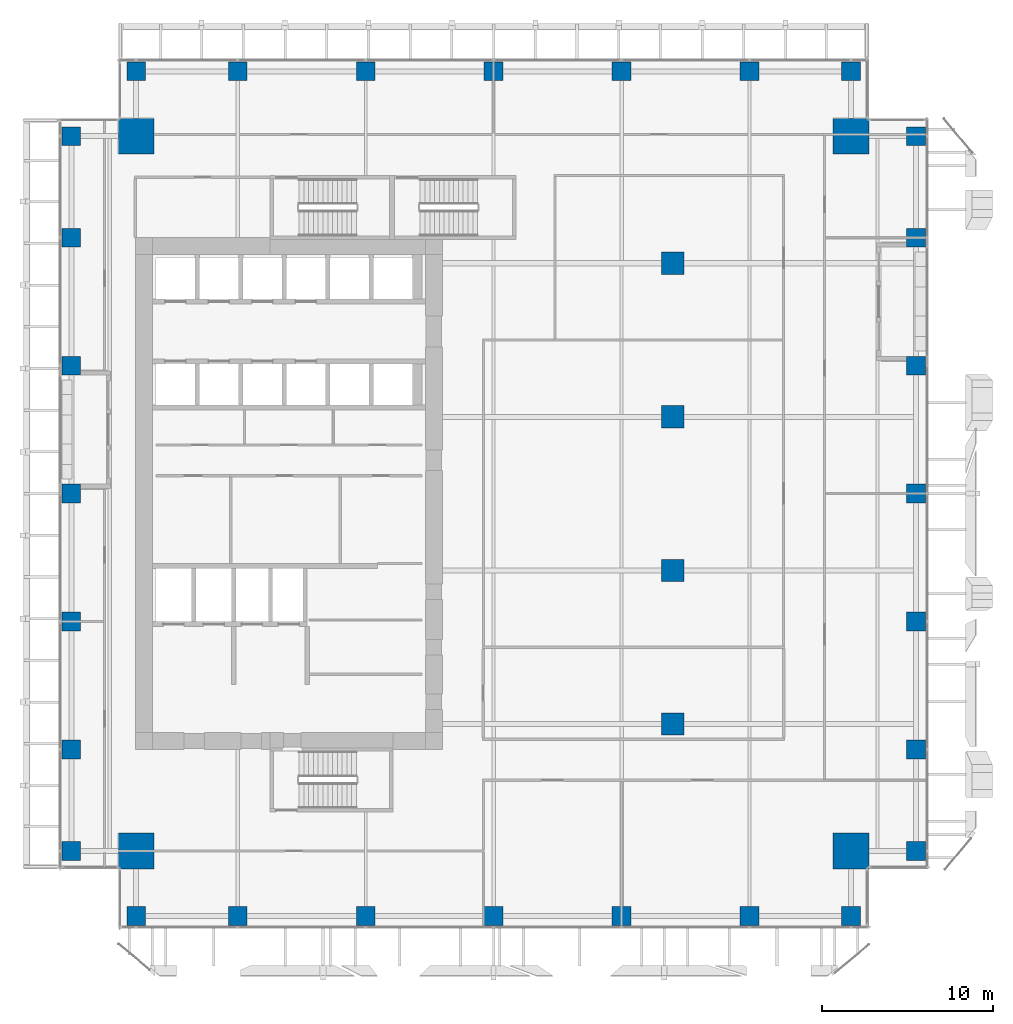
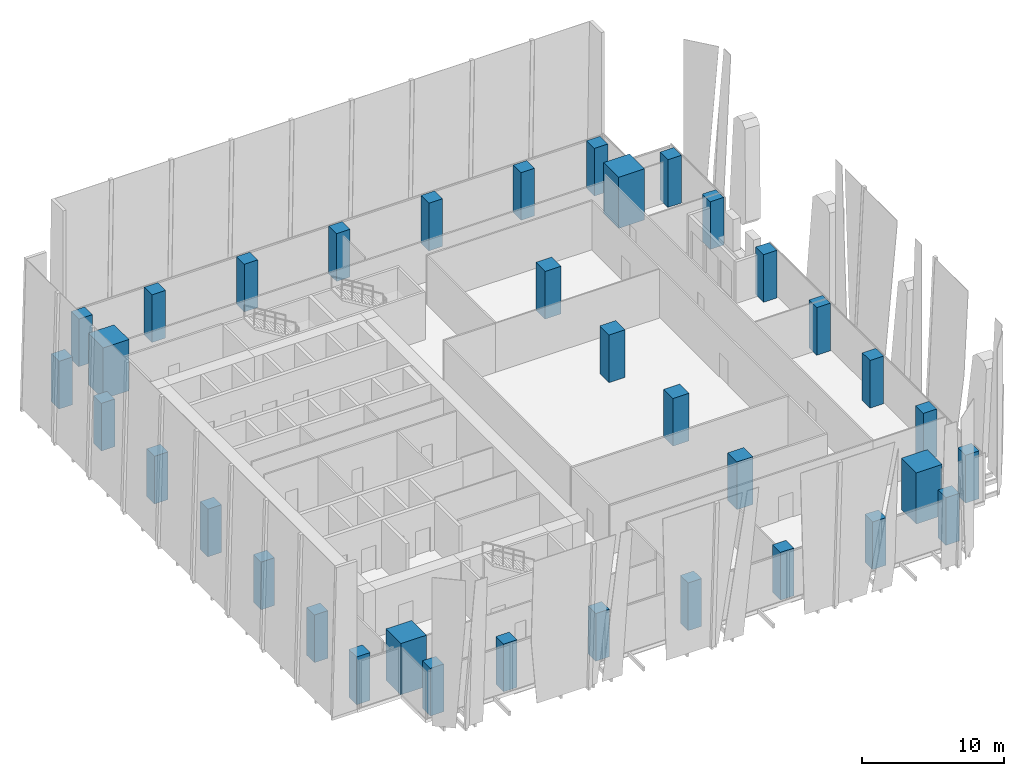
# One storey, part 1 of 35: 36 columns.
"""IFC4 building model written with IfcOpenShell, lengths in metres."""

import ifcopenshell
import ifcopenshell.guid

model = None  # the IFC model being written
_history = None  # IfcOwnerHistory: only IFC2X3 demands one
_inside = {}  # id of a spatial element -> (the spatial element, [elements in it])
_under = {}  # id of a project, library or spatial element -> (it, [spatial elements below it])
_declared = {}  # id of a project -> (the project, [libraries it declares])
_typed = {}  # id of a type object -> (the type object, [elements of that type])
_made_of = {}  # id of a material, layer set ... -> (it, [elements and type objects made of it])


def new_model(schema):
    """Start an empty IFC model of exactly this schema.

    Asked for "IFC4X3", IfcOpenShell would pick the latest addendum, in which some entities
    have other attributes; the version numbers below select the first issue.
    IFC2X3 requires an IfcOwnerHistory on every rooted entity: one is made here for all.
    """
    global model, _history
    if schema == "IFC4X3":
        model = ifcopenshell.file(schema_version=(4, 3, 0, 0))
    else:
        model = ifcopenshell.file(schema=schema)
    _inside.clear()
    _under.clear()
    _declared.clear()
    _typed.clear()
    _made_of.clear()
    _history = None
    if model.schema == "IFC2X3":
        org = make("IfcOrganization", Name="unknown")
        user = make(
            "IfcPersonAndOrganization",
            ThePerson=make("IfcPerson", FamilyName="unknown"),
            TheOrganization=org,
        )
        app = make(
            "IfcApplication",
            ApplicationDeveloper=org,
            Version="unknown",
            ApplicationFullName="unknown",
            ApplicationIdentifier="unknown",
        )
        _history = make(
            "IfcOwnerHistory",
            OwningUser=user,
            OwningApplication=app,
            ChangeAction="ADDED",
            CreationDate=0,
        )
    return model


def make(cls, **values):
    """One entity of the class cls with the attributes given. An attribute that is None is left unset."""
    return model.create_entity(
        cls, **{name: value for name, value in values.items() if value is not None}
    )


def rooted(cls, **values):
    """An entity with a GlobalId (a new one), such as an element, a storey or a relation."""
    return make(cls, GlobalId=ifcopenshell.guid.new(), OwnerHistory=_history, **values)


def si_unit(unit_type, name, prefix=None):
    """IfcSIUnit, for example si_unit("LENGTHUNIT", "METRE", prefix="MILLI")."""
    return make("IfcSIUnit", UnitType=unit_type, Prefix=prefix, Name=name)


def assignment(units):
    """IfcUnitAssignment: the units of a project."""
    return None if units is None else make("IfcUnitAssignment", Units=units)


def point(xyz):
    """IfcCartesianPoint."""
    return None if xyz is None else make("IfcCartesianPoint", Coordinates=xyz)


def direction(xyz):
    """IfcDirection."""
    return None if xyz is None else make("IfcDirection", DirectionRatios=xyz)


def frame(location, z_axis=None, x_axis=None):
    """IfcAxis2Placement3D, a coordinate frame: its origin and axes. An axis left out is left unset."""
    return make(
        "IfcAxis2Placement3D",
        Location=point(location),
        Axis=direction(z_axis),
        RefDirection=direction(x_axis),
    )


def frame_2d(location, x_axis=None):
    """IfcAxis2Placement2D, a coordinate frame in the plane: its origin and x axis."""
    return make(
        "IfcAxis2Placement2D", Location=point(location), RefDirection=direction(x_axis)
    )


def origin():
    """The frame at (0, 0, 0) with its axes left unset."""
    return frame((0.0, 0.0, 0.0))


def origin_2d():
    """The frame at (0, 0) in the plane with its x axis left unset."""
    return frame_2d((0.0, 0.0))


def place(relative_to, where):
    """IfcLocalPlacement: puts the frame where relative to a parent placement (None: the world)."""
    return make(
        "IfcLocalPlacement", PlacementRelTo=relative_to, RelativePlacement=where
    )


def context(
    kind, dimensions, precision=None, world=None, true_north=None, identifier=None
):
    """IfcGeometricRepresentationContext, for example the 3D "Model" context."""
    return make(
        "IfcGeometricRepresentationContext",
        ContextIdentifier=identifier,
        ContextType=kind,
        CoordinateSpaceDimension=dimensions,
        Precision=precision,
        WorldCoordinateSystem=world,
        TrueNorth=true_north,
    )


def subcontext(parent, identifier, kind, view, scale=None):
    """IfcGeometricRepresentationSubContext, for example "Body" below "Model"."""
    return make(
        "IfcGeometricRepresentationSubContext",
        ContextIdentifier=identifier,
        ContextType=kind,
        ParentContext=parent,
        TargetScale=scale,
        TargetView=view,
    )


def project(units=None, contexts=None):
    """IfcProject with its units and contexts."""
    return rooted(
        "IfcProject",
        Name="project",
        RepresentationContexts=contexts,
        UnitsInContext=assignment(units),
    )


def spatial(cls, under=None, at=None, **own):
    """A site, building, storey or space (cls), placed at a placement, below another one or the project."""
    s = rooted(cls, ObjectPlacement=at, **own)
    if under is not None:
        _under.setdefault(under.id(), (under, []))[1].append(s)
    return s


def profile(cls, at=None, kind="AREA", **sizes):
    """A parametric profile (cls). Its sizes go by their IFC names, for example OverallWidth=200.0."""
    return make(cls, ProfileType=kind, Position=at, **sizes)


def rectangle(**sizes):
    """IfcRectangleProfileDef."""
    return profile("IfcRectangleProfileDef", **sizes)


def extrude(swept, where, along, depth):
    """IfcExtrudedAreaSolid: the profile swept, set in the frame where, extruded along a direction by depth."""
    return make(
        "IfcExtrudedAreaSolid",
        SweptArea=swept,
        Position=where,
        ExtrudedDirection=direction(along),
        Depth=depth,
    )


def shape(context_of_items, identifier, shape_type, items):
    """IfcShapeRepresentation: the items that make up one representation, for example the "Body"."""
    return make(
        "IfcShapeRepresentation",
        ContextOfItems=context_of_items,
        RepresentationIdentifier=identifier,
        RepresentationType=shape_type,
        Items=items,
    )


def source(mapping_origin, context_of_items, identifier, shape_type, items):
    """IfcRepresentationMap: a shape defined once, which mapped items show again and again."""
    return make(
        "IfcRepresentationMap",
        MappingOrigin=mapping_origin,
        MappedRepresentation=shape(context_of_items, identifier, shape_type, items),
    )


def transform(
    local_origin,
    x_axis=None,
    y_axis=None,
    z_axis=None,
    scale=None,
    scale2=None,
    scale3=None,
    uniform=True,
):
    """IfcCartesianTransformationOperator3D, or its non-uniform kind. x_axis, y_axis, z_axis: its Axis1, 2, 3."""
    if uniform:
        return make(
            "IfcCartesianTransformationOperator3D",
            Axis1=direction(x_axis),
            Axis2=direction(y_axis),
            LocalOrigin=point(local_origin),
            Scale=scale,
            Axis3=direction(z_axis),
        )
    return make(
        "IfcCartesianTransformationOperator3DnonUniform",
        Axis1=direction(x_axis),
        Axis2=direction(y_axis),
        LocalOrigin=point(local_origin),
        Scale=scale,
        Axis3=direction(z_axis),
        Scale2=scale2,
        Scale3=scale3,
    )


def mapped(mapping_source, mapping_target):
    """IfcMappedItem: shows the shape of a source again, moved by a transform."""
    return make(
        "IfcMappedItem", MappingSource=mapping_source, MappingTarget=mapping_target
    )


def material(Name=None, Category=None):
    """IfcMaterial."""
    return make("IfcMaterial", Name=Name, Category=Category)


def material_profile(
    of_material, cross_section, Name=None, Category=None, Priority=None
):
    """IfcMaterialProfile: a cross section and its material."""
    return make(
        "IfcMaterialProfile",
        Name=Name,
        Material=of_material,
        Profile=cross_section,
        Priority=Priority,
        Category=Category,
    )


def profile_set(profiles, Name=None, composite=None):
    """IfcMaterialProfileSet."""
    return make(
        "IfcMaterialProfileSet",
        Name=Name,
        MaterialProfiles=profiles,
        CompositeProfile=composite,
    )


def made_of(thing, what):
    """Note that an element or type object is made of a material, layer set ...; save() writes the relation."""
    if what is not None:
        _made_of.setdefault(what.id(), (what, []))[1].append(thing)
    return thing


def type_object(cls, material=None, **own):
    """A type object (cls), such as IfcWallType, which elements share."""
    return made_of(rooted(cls, **own), material)


def element(
    cls,
    number,
    at=None,
    inside=None,
    cuts=None,
    type_object=None,
    material=None,
    context=None,
    identifier="Body",
    shape_type=None,
    held_by="IfcProductDefinitionShape",
    body=None,
    shapes=None,
    **own,
):
    """One element of the class cls, such as IfcWall. Its Tag is "e" and its number.

    at: its placement. inside: the storey or other place that contains it. cuts: it is an
    opening in that element (IfcRelVoidsElement). A single representation is given by context,
    identifier, shape_type and body (its items); several are given by shapes. held_by: the class
    of the entity that holds the representations. save() writes the other relations.
    """
    e = rooted(cls, Tag="e%d" % number, ObjectPlacement=at, **own)
    if body is not None:
        shapes = [shape(context, identifier, shape_type, body)]
    if shapes is not None:
        e.Representation = make(held_by, Representations=shapes)
    if inside is not None:
        _inside.setdefault(inside.id(), (inside, []))[1].append(e)
    if cuts is not None:
        rooted(
            "IfcRelVoidsElement", RelatingBuildingElement=cuts, RelatedOpeningElement=e
        )
    if type_object is not None:
        _typed.setdefault(type_object.id(), (type_object, []))[1].append(e)
    return made_of(e, material)


def aggregate(whole, parts):
    """IfcRelAggregates: a whole, such as a stair, and the parts it consists of."""
    return rooted("IfcRelAggregates", RelatingObject=whole, RelatedObjects=parts)


def save(model, path):
    """Write the relations noted so far, then the file.

    IfcRelAggregates (storeys below a building ...), IfcRelContainedInSpatialStructure (elements
    in a storey), IfcRelDefinesByType, IfcRelAssociatesMaterial and IfcRelDeclares: one each for
    every whole, place, type object, material and project.
    """
    for whole, parts in _under.values():
        aggregate(whole, parts)
    for where, things in _inside.values():
        rooted(
            "IfcRelContainedInSpatialStructure",
            RelatedElements=things,
            RelatingStructure=where,
        )
    for kind, things in _typed.values():
        rooted("IfcRelDefinesByType", RelatedObjects=things, RelatingType=kind)
    for what, things in _made_of.values():
        rooted("IfcRelAssociatesMaterial", RelatedObjects=things, RelatingMaterial=what)
    for by, libraries in _declared.values():
        rooted("IfcRelDeclares", RelatingContext=by, RelatedDefinitions=libraries)
    model.write(path)


model = new_model("IFC4")

# Units and contexts
model_context = context("Model", 3, precision=1e-05, world=origin(), true_north=direction((0.0, 1.0)))
body_context = subcontext(model_context, "Body", "Model", "MODEL_VIEW")
ifc_project = project(units=[si_unit("LENGTHUNIT", "METRE"), si_unit("AREAUNIT", "SQUARE_METRE"), si_unit("VOLUMEUNIT", "CUBIC_METRE"), si_unit("PLANEANGLEUNIT", "RADIAN"), si_unit("MASSUNIT", "GRAM", prefix="KILO")], contexts=[model_context])

# Site, building, storey
site_placement = place(None, origin())
site = spatial("IfcSite", under=ifc_project, at=site_placement, CompositionType="ELEMENT")
building_placement = place(site_placement, origin())
building = spatial("IfcBuilding", under=site, at=building_placement, Name="Khomas Fold Tower", CompositionType="ELEMENT")
storey_placement = place(building_placement, frame((0.0, 0.0, 127.89990234375)))
storey = spatial("IfcBuildingStorey", under=building, at=storey_placement, Name="L27", CompositionType="ELEMENT", Elevation=127.89990234375)

# Columns
ifc_material_1 = material(Name="Concrete C50/60", Category="concrete")
ifc_material_profile_1 = material_profile(ifc_material_1, rectangle(XDim=1.10009765625, YDim=1.10009765625, at=origin_2d()), Name="RC 1100x1100")
ifc_profile_set_1 = profile_set([ifc_material_profile_1], Name="Concrete C50/60")
column_type_1 = type_object("IfcColumnType", Name="RC 1100x1100 column", PredefinedType="COLUMN", material=ifc_profile_set_1)
shared_shape_1 = source(origin(), body_context, "Body", "SweptSolid", [
    extrude(rectangle(XDim=1.10009765625, YDim=1.10009765625, at=origin_2d()), origin(), (0.0, 0.0, 1.0), 4.10009765625),
])
for number, where, z_axis, x_axis, name in (
    (1, (6.050048828125, 2.25, 0.0), (0.0, 0.0, 1.0), (1.0, 0.0, 0.0), "C-3-SF2"),
    (2, (12.0, 2.25, 0.0), (0.0, 0.0, 1.0), (1.0, 0.0, 0.0), "C-6-SF2"),
    (3, (19.5, 2.25, 0.0), (0.0, 0.0, 1.0), (1.0, 0.0, 0.0), "C-8-SF2"),
    (4, (27.0, 2.25, 0.0), (0.0, 0.0, 1.0), (1.0, 0.0, 0.0), "C-9-SF2"),
    (5, (34.5, 2.25, 0.0), (0.0, 0.0, 1.0), (1.0, 0.0, 0.0), "C-10-SF2"),
    (6, (42.0, 2.25, 0.0), (0.0, 0.0, 1.0), (1.0, 0.0, 0.0), "C-13-SF2"),
    (7, (47.949951171875, 2.25, 0.0), (0.0, 0.0, 1.0), (1.0, 0.0, 0.0), "C-16-SF2"),
    (8, (51.75, 6.050048828125, 0.0), (0.0, 0.0, 1.0), (1.0, 0.0, 0.0), "C-E2-C"),
    (9, (51.75, 12.0, 0.0), (0.0, 0.0, 1.0), (1.0, 0.0, 0.0), "C-E2-F"),
    (10, (51.75, 19.5, 0.0), (0.0, 0.0, 1.0), (1.0, 0.0, 0.0), "C-E2-J"),
    (11, (51.75, 27.0, 0.0), (0.0, 0.0, 1.0), (1.0, 0.0, 0.0), "C-E2-L"),
    (12, (51.75, 34.5, 0.0), (0.0, 0.0, 1.0), (1.0, 0.0, 0.0), "C-E2-N"),
    (13, (51.75, 42.0, 0.0), (0.0, 0.0, 1.0), (1.0, 0.0, 0.0), "C-E2-R"),
    (14, (51.75, 47.949951171875, 0.0), (0.0, 0.0, 1.0), (1.0, 0.0, 0.0), "C-E2-U"),
    (15, (6.050048828125, 51.75, 0.0), (0.0, 0.0, 1.0), (1.0, 0.0, 0.0), "C-3-NF2"),
    (16, (12.0, 51.75, 0.0), (0.0, 0.0, 1.0), (1.0, 0.0, 0.0), "C-6-NF2"),
    (17, (19.5, 51.75, 0.0), (0.0, 0.0, 1.0), (1.0, 0.0, 0.0), "C-8-NF2"),
    (18, (27.0, 51.75, 0.0), (0.0, 0.0, 1.0), (1.0, 0.0, 0.0), "C-9-NF2"),
    (19, (34.5, 51.75, 0.0), (0.0, 0.0, 1.0), (1.0, 0.0, 0.0), "C-10-NF2"),
    (20, (42.0, 51.75, 0.0), (0.0, 0.0, 1.0), (1.0, 0.0, 0.0), "C-13-NF2"),
    (21, (47.949951171875, 51.75, 0.0), (0.0, 0.0, 1.0), (1.0, 0.0, 0.0), "C-16-NF2"),
    (22, (2.25, 6.050048828125, 0.0), (0.0, 0.0, 1.0), (1.0, 0.0, 0.0), "C-W2-C"),
    (23, (2.25, 12.0, 0.0), (0.0, 0.0, 1.0), (1.0, 0.0, 0.0), "C-W2-F"),
    (24, (2.25, 19.5, 0.0), (0.0, 0.0, 1.0), (1.0, 0.0, 0.0), "C-W2-J"),
    (25, (2.25, 27.0, 0.0), (0.0, 0.0, 1.0), (1.0, 0.0, 0.0), "C-W2-L"),
    (26, (2.25, 34.5, 0.0), (0.0, 0.0, 1.0), (1.0, 0.0, 0.0), "C-W2-N"),
    (27, (2.25, 42.0, 0.0), (0.0, 0.0, 1.0), (1.0, 0.0, 0.0), "C-W2-R"),
    (28, (2.25, 47.949951171875, 0.0), (0.0, 0.0, 1.0), (1.0, 0.0, 0.0), "C-W2-U"),
):
    element("IfcColumn", number, at=place(storey_placement, frame(where, z_axis=z_axis, x_axis=x_axis)), inside=storey, type_object=column_type_1, Name=name, PredefinedType="COLUMN", context=body_context, shape_type="MappedRepresentation", body=[
        mapped(shared_shape_1, transform((0.0, 0.0, 0.0))),
    ])
ifc_material_2 = material(Name="Concrete C60/75", Category="concrete")
ifc_material_profile_2 = material_profile(ifc_material_2, rectangle(XDim=1.300048828125, YDim=1.300048828125, at=origin_2d()), Name="RC 1300x1300")
ifc_profile_set_2 = profile_set([ifc_material_profile_2], Name="Concrete C60/75")
column_type_2 = type_object("IfcColumnType", Name="RC 1300x1300 column", PredefinedType="COLUMN", material=ifc_profile_set_2)
shared_shape_2 = source(origin(), body_context, "Body", "SweptSolid", [
    extrude(rectangle(XDim=1.300048828125, YDim=1.300048828125, at=origin_2d()), origin(), (0.0, 0.0, 1.0), 4.10009765625),
])
for number, where, z_axis, x_axis, name in (
    (29, (37.5, 13.5, 0.0), (0.0, 0.0, 1.0), (1.0, 0.0, 0.0), "C-11-H"),
    (30, (37.5, 22.5, 0.0), (0.0, 0.0, 1.0), (1.0, 0.0, 0.0), "C-11-K"),
    (31, (37.5, 31.5, 0.0), (0.0, 0.0, 1.0), (1.0, 0.0, 0.0), "C-11-M"),
    (32, (37.5, 40.5, 0.0), (0.0, 0.0, 1.0), (1.0, 0.0, 0.0), "C-11-P"),
):
    element("IfcColumn", number, at=place(storey_placement, frame(where, z_axis=z_axis, x_axis=x_axis)), inside=storey, type_object=column_type_2, Name=name, PredefinedType="COLUMN", context=body_context, shape_type="MappedRepresentation", body=[
        mapped(shared_shape_2, transform((0.0, 0.0, 0.0))),
    ])
ifc_material_3 = material(Name="Concrete C70/85", Category="concrete")
ifc_material_profile_3 = material_profile(ifc_material_3, rectangle(XDim=2.10009765625, YDim=2.10009765625, at=origin_2d()), Name="RC 2100x2100")
ifc_profile_set_3 = profile_set([ifc_material_profile_3], Name="Concrete C70/85")
column_type_3 = type_object("IfcColumnType", Name="RC 2100x2100 column", PredefinedType="COLUMN", material=ifc_profile_set_3)
shared_shape_3 = source(origin(), body_context, "Body", "SweptSolid", [
    extrude(rectangle(XDim=2.10009765625, YDim=2.10009765625, at=origin_2d()), origin(), (0.0, 0.0, 1.0), 4.400146484375),
])
for number, where, z_axis, x_axis, name in (
    (33, (47.949951171875, 47.949951171875, 0.0), (0.0, 0.0, 1.0), (1.0, 0.0, 0.0), "CM-NE"),
    (34, (6.050048828125, 47.949951171875, 0.0), (0.0, 0.0, 1.0), (1.0, 0.0, 0.0), "CM-NW"),
    (35, (47.949951171875, 6.050048828125, 0.0), (0.0, 0.0, 1.0), (1.0, 0.0, 0.0), "CM-SE"),
    (36, (6.050048828125, 6.050048828125, 0.0), (0.0, 0.0, 1.0), (1.0, 0.0, 0.0), "CM-SW"),
):
    element("IfcColumn", number, at=place(storey_placement, frame(where, z_axis=z_axis, x_axis=x_axis)), inside=storey, type_object=column_type_3, Name=name, PredefinedType="COLUMN", context=body_context, shape_type="MappedRepresentation", body=[
        mapped(shared_shape_3, transform((0.0, 0.0, 0.0))),
    ])

save(model, "model.ifc")
